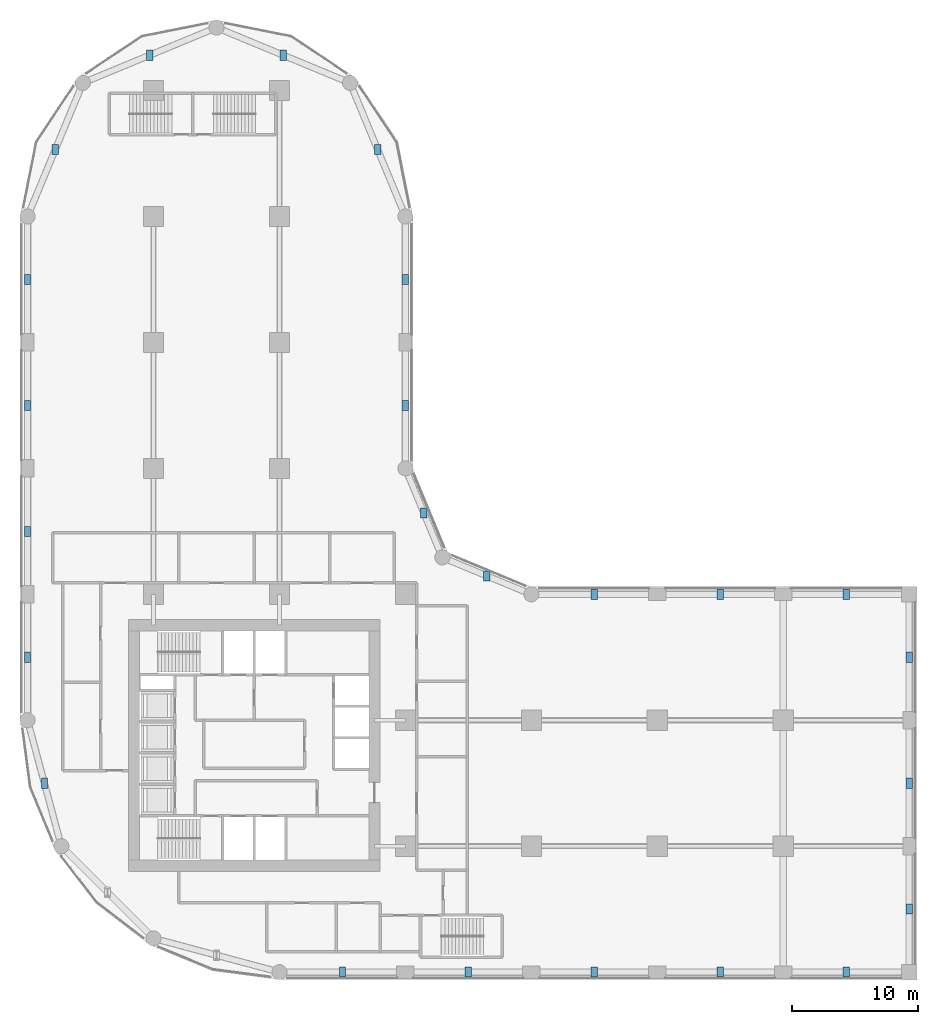
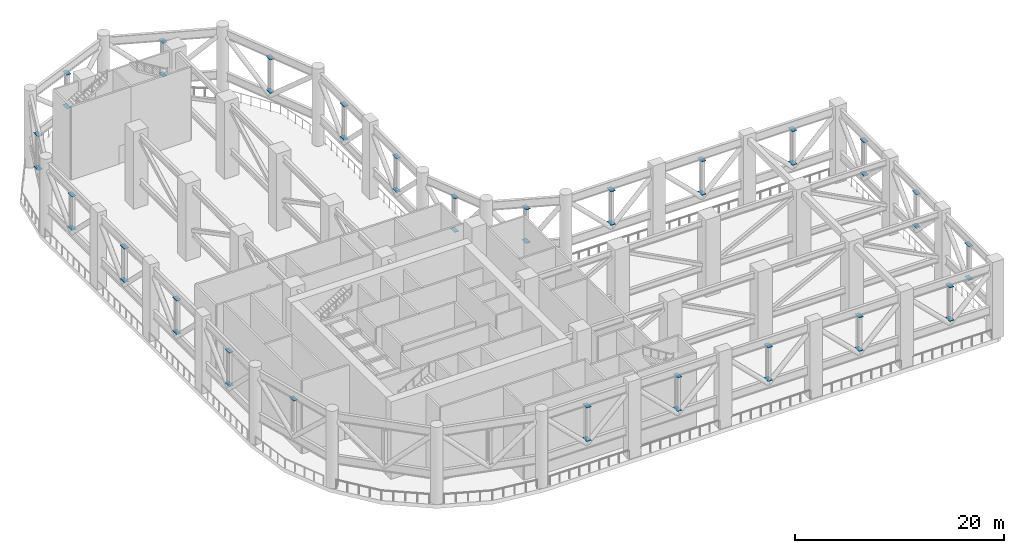
# One storey, part 11 of 14: 47 discrete accessories.
"""IFC4 building model written with IfcOpenShell, lengths in metres."""

from ifc_helpers import new_model, si_unit, direction, frame, origin, origin_2d, place, context, subcontext, project, spatial, rectangle, extrude, material, type_object, element, save


model = new_model("IFC4")

# Units and contexts
model_context = context("Model", 3, precision=1e-05, world=origin(), true_north=direction((0.0, 1.0)))
body_context = subcontext(model_context, "Body", "Model", "MODEL_VIEW")
ifc_project = project(units=[si_unit("LENGTHUNIT", "METRE"), si_unit("AREAUNIT", "SQUARE_METRE"), si_unit("VOLUMEUNIT", "CUBIC_METRE"), si_unit("PLANEANGLEUNIT", "RADIAN"), si_unit("MASSUNIT", "GRAM", prefix="KILO")], contexts=[model_context])

# Site, building, storey
site_placement = place(None, origin())
site = spatial("IfcSite", under=ifc_project, at=site_placement, CompositionType="ELEMENT")
building_placement = place(site_placement, origin())
building = spatial("IfcBuilding", under=site, at=building_placement, Name="Qaws Garden Tower", CompositionType="ELEMENT")
storey_placement = place(building_placement, frame((0.0, 0.0, 117.300048828125)))
storey = spatial("IfcBuildingStorey", under=building, at=storey_placement, Name="L29", CompositionType="ELEMENT", Elevation=117.300048828125)

# Discrete accessories
ifc_material = material(Name="Steel S355", Category="steel")
discrete_accessory_type = type_object("IfcDiscreteAccessoryType", Name="Belt post end plate 30", PredefinedType="USERDEFINED", material=ifc_material)
discrete_accessory_1_placement = place(storey_placement, frame((25.0, 0.0, 3.60791015625), z_axis=(0.0, 0.0, 1.0), x_axis=(1.0, 0.0, 0.0)))
element("IfcDiscreteAccessory", 1, at=discrete_accessory_1_placement, inside=storey, type_object=discrete_accessory_type, Name="Belt truss post 1 end plate bottom", ObjectType="End plate", PredefinedType="USERDEFINED", context=body_context, shape_type="SweptSolid", body=[
    extrude(rectangle(XDim=0.5, YDim=0.800048828125, at=origin_2d()), origin(), (0.0, 0.0, 1.0), 0.030029296875),
])
discrete_accessory_2_placement = place(storey_placement, frame((25.0, 0.0, 7.51171875), z_axis=(0.0, 0.0, 1.0), x_axis=(1.0, 0.0, 0.0)))
element("IfcDiscreteAccessory", 2, at=discrete_accessory_2_placement, inside=storey, type_object=discrete_accessory_type, Name="Belt truss post 1 end plate top", ObjectType="End plate", PredefinedType="USERDEFINED", context=body_context, shape_type="SweptSolid", body=[
    extrude(rectangle(XDim=0.5, YDim=0.800048828125, at=origin_2d()), origin(), (0.0, 0.0, 1.0), 0.030029296875),
])
discrete_accessory_3_placement = place(storey_placement, frame((35.0, 0.0, 3.60791015625), z_axis=(0.0, 0.0, 1.0), x_axis=(1.0, 0.0, 0.0)))
element("IfcDiscreteAccessory", 3, at=discrete_accessory_3_placement, inside=storey, type_object=discrete_accessory_type, Name="Belt truss post 2 end plate bottom", ObjectType="End plate", PredefinedType="USERDEFINED", context=body_context, shape_type="SweptSolid", body=[
    extrude(rectangle(XDim=0.5, YDim=0.800048828125, at=origin_2d()), origin(), (0.0, 0.0, 1.0), 0.030029296875),
])
discrete_accessory_4_placement = place(storey_placement, frame((35.0, 0.0, 7.51171875), z_axis=(0.0, 0.0, 1.0), x_axis=(1.0, 0.0, 0.0)))
element("IfcDiscreteAccessory", 4, at=discrete_accessory_4_placement, inside=storey, type_object=discrete_accessory_type, Name="Belt truss post 2 end plate top", ObjectType="End plate", PredefinedType="USERDEFINED", context=body_context, shape_type="SweptSolid", body=[
    extrude(rectangle(XDim=0.5, YDim=0.800048828125, at=origin_2d()), origin(), (0.0, 0.0, 1.0), 0.030029296875),
])
discrete_accessory_5_placement = place(storey_placement, frame((45.0, 0.0, 3.60791015625), z_axis=(0.0, 0.0, 1.0), x_axis=(1.0, 0.0, 0.0)))
element("IfcDiscreteAccessory", 5, at=discrete_accessory_5_placement, inside=storey, type_object=discrete_accessory_type, Name="Belt truss post 3 end plate bottom", ObjectType="End plate", PredefinedType="USERDEFINED", context=body_context, shape_type="SweptSolid", body=[
    extrude(rectangle(XDim=0.5, YDim=0.800048828125, at=origin_2d()), origin(), (0.0, 0.0, 1.0), 0.030029296875),
])
discrete_accessory_6_placement = place(storey_placement, frame((45.0, 0.0, 7.51171875), z_axis=(0.0, 0.0, 1.0), x_axis=(1.0, 0.0, 0.0)))
element("IfcDiscreteAccessory", 6, at=discrete_accessory_6_placement, inside=storey, type_object=discrete_accessory_type, Name="Belt truss post 3 end plate top", ObjectType="End plate", PredefinedType="USERDEFINED", context=body_context, shape_type="SweptSolid", body=[
    extrude(rectangle(XDim=0.5, YDim=0.800048828125, at=origin_2d()), origin(), (0.0, 0.0, 1.0), 0.030029296875),
])
discrete_accessory_7_placement = place(storey_placement, frame((55.0, 0.0, 3.60791015625), z_axis=(0.0, 0.0, 1.0), x_axis=(1.0, 0.0, 0.0)))
element("IfcDiscreteAccessory", 7, at=discrete_accessory_7_placement, inside=storey, type_object=discrete_accessory_type, Name="Belt truss post 4 end plate bottom", ObjectType="End plate", PredefinedType="USERDEFINED", context=body_context, shape_type="SweptSolid", body=[
    extrude(rectangle(XDim=0.5, YDim=0.800048828125, at=origin_2d()), origin(), (0.0, 0.0, 1.0), 0.030029296875),
])
discrete_accessory_8_placement = place(storey_placement, frame((55.0, 0.0, 7.51171875), z_axis=(0.0, 0.0, 1.0), x_axis=(1.0, 0.0, 0.0)))
element("IfcDiscreteAccessory", 8, at=discrete_accessory_8_placement, inside=storey, type_object=discrete_accessory_type, Name="Belt truss post 4 end plate top", ObjectType="End plate", PredefinedType="USERDEFINED", context=body_context, shape_type="SweptSolid", body=[
    extrude(rectangle(XDim=0.5, YDim=0.800048828125, at=origin_2d()), origin(), (0.0, 0.0, 1.0), 0.030029296875),
])
discrete_accessory_9_placement = place(storey_placement, frame((65.0, 0.0, 3.60791015625), z_axis=(0.0, 0.0, 1.0), x_axis=(1.0, 0.0, 0.0)))
element("IfcDiscreteAccessory", 9, at=discrete_accessory_9_placement, inside=storey, type_object=discrete_accessory_type, Name="Belt truss post 5 end plate bottom", ObjectType="End plate", PredefinedType="USERDEFINED", context=body_context, shape_type="SweptSolid", body=[
    extrude(rectangle(XDim=0.5, YDim=0.800048828125, at=origin_2d()), origin(), (0.0, 0.0, 1.0), 0.030029296875),
])
discrete_accessory_10_placement = place(storey_placement, frame((65.0, 0.0, 7.51171875), z_axis=(0.0, 0.0, 1.0), x_axis=(1.0, 0.0, 0.0)))
element("IfcDiscreteAccessory", 10, at=discrete_accessory_10_placement, inside=storey, type_object=discrete_accessory_type, Name="Belt truss post 5 end plate top", ObjectType="End plate", PredefinedType="USERDEFINED", context=body_context, shape_type="SweptSolid", body=[
    extrude(rectangle(XDim=0.5, YDim=0.800048828125, at=origin_2d()), origin(), (0.0, 0.0, 1.0), 0.030029296875),
])
discrete_accessory_11_placement = place(storey_placement, frame((70.0, 5.0, 3.60791015625), z_axis=(0.0, 0.0, 1.0), x_axis=(1.0, 0.0, 0.0)))
element("IfcDiscreteAccessory", 11, at=discrete_accessory_11_placement, inside=storey, type_object=discrete_accessory_type, Name="Belt truss post 6 end plate bottom", ObjectType="End plate", PredefinedType="USERDEFINED", context=body_context, shape_type="SweptSolid", body=[
    extrude(rectangle(XDim=0.5, YDim=0.800048828125, at=origin_2d()), origin(), (0.0, 0.0, 1.0), 0.030029296875),
])
discrete_accessory_12_placement = place(storey_placement, frame((70.0, 5.0, 7.51171875), z_axis=(0.0, 0.0, 1.0), x_axis=(1.0, 0.0, 0.0)))
element("IfcDiscreteAccessory", 12, at=discrete_accessory_12_placement, inside=storey, type_object=discrete_accessory_type, Name="Belt truss post 6 end plate top", ObjectType="End plate", PredefinedType="USERDEFINED", context=body_context, shape_type="SweptSolid", body=[
    extrude(rectangle(XDim=0.5, YDim=0.800048828125, at=origin_2d()), origin(), (0.0, 0.0, 1.0), 0.030029296875),
])
discrete_accessory_13_placement = place(storey_placement, frame((70.0, 15.0, 3.60791015625), z_axis=(0.0, 0.0, 1.0), x_axis=(1.0, 0.0, 0.0)))
element("IfcDiscreteAccessory", 13, at=discrete_accessory_13_placement, inside=storey, type_object=discrete_accessory_type, Name="Belt truss post 7 end plate bottom", ObjectType="End plate", PredefinedType="USERDEFINED", context=body_context, shape_type="SweptSolid", body=[
    extrude(rectangle(XDim=0.5, YDim=0.800048828125, at=origin_2d()), origin(), (0.0, 0.0, 1.0), 0.030029296875),
])
discrete_accessory_14_placement = place(storey_placement, frame((70.0, 15.0, 7.51171875), z_axis=(0.0, 0.0, 1.0), x_axis=(1.0, 0.0, 0.0)))
element("IfcDiscreteAccessory", 14, at=discrete_accessory_14_placement, inside=storey, type_object=discrete_accessory_type, Name="Belt truss post 7 end plate top", ObjectType="End plate", PredefinedType="USERDEFINED", context=body_context, shape_type="SweptSolid", body=[
    extrude(rectangle(XDim=0.5, YDim=0.800048828125, at=origin_2d()), origin(), (0.0, 0.0, 1.0), 0.030029296875),
])
discrete_accessory_15_placement = place(storey_placement, frame((70.0, 25.0, 3.60791015625), z_axis=(0.0, 0.0, 1.0), x_axis=(1.0, 0.0, 0.0)))
element("IfcDiscreteAccessory", 15, at=discrete_accessory_15_placement, inside=storey, type_object=discrete_accessory_type, Name="Belt truss post 8 end plate bottom", ObjectType="End plate", PredefinedType="USERDEFINED", context=body_context, shape_type="SweptSolid", body=[
    extrude(rectangle(XDim=0.5, YDim=0.800048828125, at=origin_2d()), origin(), (0.0, 0.0, 1.0), 0.030029296875),
])
discrete_accessory_16_placement = place(storey_placement, frame((70.0, 25.0, 7.51171875), z_axis=(0.0, 0.0, 1.0), x_axis=(1.0, 0.0, 0.0)))
element("IfcDiscreteAccessory", 16, at=discrete_accessory_16_placement, inside=storey, type_object=discrete_accessory_type, Name="Belt truss post 8 end plate top", ObjectType="End plate", PredefinedType="USERDEFINED", context=body_context, shape_type="SweptSolid", body=[
    extrude(rectangle(XDim=0.5, YDim=0.800048828125, at=origin_2d()), origin(), (0.0, 0.0, 1.0), 0.030029296875),
])
discrete_accessory_17_placement = place(storey_placement, frame((65.0, 30.0, 3.60791015625), z_axis=(0.0, 0.0, 1.0), x_axis=(1.0, 0.0, 0.0)))
element("IfcDiscreteAccessory", 17, at=discrete_accessory_17_placement, inside=storey, type_object=discrete_accessory_type, Name="Belt truss post 9 end plate bottom", ObjectType="End plate", PredefinedType="USERDEFINED", context=body_context, shape_type="SweptSolid", body=[
    extrude(rectangle(XDim=0.5, YDim=0.800048828125, at=origin_2d()), origin(), (0.0, 0.0, 1.0), 0.030029296875),
])
discrete_accessory_18_placement = place(storey_placement, frame((65.0, 30.0, 7.51171875), z_axis=(0.0, 0.0, 1.0), x_axis=(1.0, 0.0, 0.0)))
element("IfcDiscreteAccessory", 18, at=discrete_accessory_18_placement, inside=storey, type_object=discrete_accessory_type, Name="Belt truss post 9 end plate top", ObjectType="End plate", PredefinedType="USERDEFINED", context=body_context, shape_type="SweptSolid", body=[
    extrude(rectangle(XDim=0.5, YDim=0.800048828125, at=origin_2d()), origin(), (0.0, 0.0, 1.0), 0.030029296875),
])
discrete_accessory_19_placement = place(storey_placement, frame((55.0, 30.0, 3.60791015625), z_axis=(0.0, 0.0, 1.0), x_axis=(1.0, 0.0, 0.0)))
element("IfcDiscreteAccessory", 19, at=discrete_accessory_19_placement, inside=storey, type_object=discrete_accessory_type, Name="Belt truss post 10 end plate bottom", ObjectType="End plate", PredefinedType="USERDEFINED", context=body_context, shape_type="SweptSolid", body=[
    extrude(rectangle(XDim=0.5, YDim=0.800048828125, at=origin_2d()), origin(), (0.0, 0.0, 1.0), 0.030029296875),
])
discrete_accessory_20_placement = place(storey_placement, frame((55.0, 30.0, 7.51171875), z_axis=(0.0, 0.0, 1.0), x_axis=(1.0, 0.0, 0.0)))
element("IfcDiscreteAccessory", 20, at=discrete_accessory_20_placement, inside=storey, type_object=discrete_accessory_type, Name="Belt truss post 10 end plate top", ObjectType="End plate", PredefinedType="USERDEFINED", context=body_context, shape_type="SweptSolid", body=[
    extrude(rectangle(XDim=0.5, YDim=0.800048828125, at=origin_2d()), origin(), (0.0, 0.0, 1.0), 0.030029296875),
])
discrete_accessory_21_placement = place(storey_placement, frame((45.0, 30.0, 3.60791015625), z_axis=(0.0, 0.0, 1.0), x_axis=(1.0, 0.0, 0.0)))
element("IfcDiscreteAccessory", 21, at=discrete_accessory_21_placement, inside=storey, type_object=discrete_accessory_type, Name="Belt truss post 11 end plate bottom", ObjectType="End plate", PredefinedType="USERDEFINED", context=body_context, shape_type="SweptSolid", body=[
    extrude(rectangle(XDim=0.5, YDim=0.800048828125, at=origin_2d()), origin(), (0.0, 0.0, 1.0), 0.030029296875),
])
discrete_accessory_22_placement = place(storey_placement, frame((45.0, 30.0, 7.51171875), z_axis=(0.0, 0.0, 1.0), x_axis=(1.0, 0.0, 0.0)))
element("IfcDiscreteAccessory", 22, at=discrete_accessory_22_placement, inside=storey, type_object=discrete_accessory_type, Name="Belt truss post 11 end plate top", ObjectType="End plate", PredefinedType="USERDEFINED", context=body_context, shape_type="SweptSolid", body=[
    extrude(rectangle(XDim=0.5, YDim=0.800048828125, at=origin_2d()), origin(), (0.0, 0.0, 1.0), 0.030029296875),
])
discrete_accessory_23_placement = place(storey_placement, frame((36.46435546875, 31.46435546875, 3.60791015625), z_axis=(0.0, 0.0, 1.0), x_axis=(1.0, 0.0, 0.0)))
element("IfcDiscreteAccessory", 23, at=discrete_accessory_23_placement, inside=storey, type_object=discrete_accessory_type, Name="Belt truss post 12 end plate bottom", ObjectType="End plate", PredefinedType="USERDEFINED", context=body_context, shape_type="SweptSolid", body=[
    extrude(rectangle(XDim=0.5, YDim=0.800048828125, at=origin_2d()), origin(), (0.0, 0.0, 1.0), 0.030029296875),
])
discrete_accessory_24_placement = place(storey_placement, frame((36.46435546875, 31.46435546875, 7.51171875), z_axis=(0.0, 0.0, 1.0), x_axis=(1.0, 0.0, 0.0)))
element("IfcDiscreteAccessory", 24, at=discrete_accessory_24_placement, inside=storey, type_object=discrete_accessory_type, Name="Belt truss post 12 end plate top", ObjectType="End plate", PredefinedType="USERDEFINED", context=body_context, shape_type="SweptSolid", body=[
    extrude(rectangle(XDim=0.5, YDim=0.800048828125, at=origin_2d()), origin(), (0.0, 0.0, 1.0), 0.030029296875),
])
discrete_accessory_25_placement = place(storey_placement, frame((31.46435546875, 36.46435546875, 3.60791015625), z_axis=(0.0, 0.0, 1.0), x_axis=(1.0, 0.0, 0.0)))
element("IfcDiscreteAccessory", 25, at=discrete_accessory_25_placement, inside=storey, type_object=discrete_accessory_type, Name="Belt truss post 13 end plate bottom", ObjectType="End plate", PredefinedType="USERDEFINED", context=body_context, shape_type="SweptSolid", body=[
    extrude(rectangle(XDim=0.5, YDim=0.800048828125, at=origin_2d()), origin(), (0.0, 0.0, 1.0), 0.030029296875),
])
discrete_accessory_26_placement = place(storey_placement, frame((31.46435546875, 36.46435546875, 7.51171875), z_axis=(0.0, 0.0, 1.0), x_axis=(1.0, 0.0, 0.0)))
element("IfcDiscreteAccessory", 26, at=discrete_accessory_26_placement, inside=storey, type_object=discrete_accessory_type, Name="Belt truss post 13 end plate top", ObjectType="End plate", PredefinedType="USERDEFINED", context=body_context, shape_type="SweptSolid", body=[
    extrude(rectangle(XDim=0.5, YDim=0.800048828125, at=origin_2d()), origin(), (0.0, 0.0, 1.0), 0.030029296875),
])
discrete_accessory_27_placement = place(storey_placement, frame((30.0, 45.0, 3.60791015625), z_axis=(0.0, 0.0, 1.0), x_axis=(1.0, 0.0, 0.0)))
element("IfcDiscreteAccessory", 27, at=discrete_accessory_27_placement, inside=storey, type_object=discrete_accessory_type, Name="Belt truss post 14 end plate bottom", ObjectType="End plate", PredefinedType="USERDEFINED", context=body_context, shape_type="SweptSolid", body=[
    extrude(rectangle(XDim=0.5, YDim=0.800048828125, at=origin_2d()), origin(), (0.0, 0.0, 1.0), 0.030029296875),
])
discrete_accessory_28_placement = place(storey_placement, frame((30.0, 45.0, 7.51171875), z_axis=(0.0, 0.0, 1.0), x_axis=(1.0, 0.0, 0.0)))
element("IfcDiscreteAccessory", 28, at=discrete_accessory_28_placement, inside=storey, type_object=discrete_accessory_type, Name="Belt truss post 14 end plate top", ObjectType="End plate", PredefinedType="USERDEFINED", context=body_context, shape_type="SweptSolid", body=[
    extrude(rectangle(XDim=0.5, YDim=0.800048828125, at=origin_2d()), origin(), (0.0, 0.0, 1.0), 0.030029296875),
])
discrete_accessory_29_placement = place(storey_placement, frame((30.0, 55.0, 3.60791015625), z_axis=(0.0, 0.0, 1.0), x_axis=(1.0, 0.0, 0.0)))
element("IfcDiscreteAccessory", 29, at=discrete_accessory_29_placement, inside=storey, type_object=discrete_accessory_type, Name="Belt truss post 15 end plate bottom", ObjectType="End plate", PredefinedType="USERDEFINED", context=body_context, shape_type="SweptSolid", body=[
    extrude(rectangle(XDim=0.5, YDim=0.800048828125, at=origin_2d()), origin(), (0.0, 0.0, 1.0), 0.030029296875),
])
discrete_accessory_30_placement = place(storey_placement, frame((30.0, 55.0, 7.51171875), z_axis=(0.0, 0.0, 1.0), x_axis=(1.0, 0.0, 0.0)))
element("IfcDiscreteAccessory", 30, at=discrete_accessory_30_placement, inside=storey, type_object=discrete_accessory_type, Name="Belt truss post 15 end plate top", ObjectType="End plate", PredefinedType="USERDEFINED", context=body_context, shape_type="SweptSolid", body=[
    extrude(rectangle(XDim=0.5, YDim=0.800048828125, at=origin_2d()), origin(), (0.0, 0.0, 1.0), 0.030029296875),
])
discrete_accessory_31_placement = place(storey_placement, frame((27.80322265625, 65.30322265625, 3.60791015625), z_axis=(0.0, 0.0, 1.0), x_axis=(1.0, 0.0, 0.0)))
element("IfcDiscreteAccessory", 31, at=discrete_accessory_31_placement, inside=storey, type_object=discrete_accessory_type, Name="Belt truss post 16 end plate bottom", ObjectType="End plate", PredefinedType="USERDEFINED", context=body_context, shape_type="SweptSolid", body=[
    extrude(rectangle(XDim=0.5, YDim=0.800048828125, at=origin_2d()), origin(), (0.0, 0.0, 1.0), 0.030029296875),
])
discrete_accessory_32_placement = place(storey_placement, frame((27.80322265625, 65.30322265625, 7.51171875), z_axis=(0.0, 0.0, 1.0), x_axis=(1.0, 0.0, 0.0)))
element("IfcDiscreteAccessory", 32, at=discrete_accessory_32_placement, inside=storey, type_object=discrete_accessory_type, Name="Belt truss post 16 end plate top", ObjectType="End plate", PredefinedType="USERDEFINED", context=body_context, shape_type="SweptSolid", body=[
    extrude(rectangle(XDim=0.5, YDim=0.800048828125, at=origin_2d()), origin(), (0.0, 0.0, 1.0), 0.030029296875),
])
discrete_accessory_33_placement = place(storey_placement, frame((20.30322265625, 72.80322265625, 3.60791015625), z_axis=(0.0, 0.0, 1.0), x_axis=(1.0, 0.0, 0.0)))
element("IfcDiscreteAccessory", 33, at=discrete_accessory_33_placement, inside=storey, type_object=discrete_accessory_type, Name="Belt truss post 17 end plate bottom", ObjectType="End plate", PredefinedType="USERDEFINED", context=body_context, shape_type="SweptSolid", body=[
    extrude(rectangle(XDim=0.5, YDim=0.800048828125, at=origin_2d()), origin(), (0.0, 0.0, 1.0), 0.030029296875),
])
discrete_accessory_34_placement = place(storey_placement, frame((20.30322265625, 72.80322265625, 7.51171875), z_axis=(0.0, 0.0, 1.0), x_axis=(1.0, 0.0, 0.0)))
element("IfcDiscreteAccessory", 34, at=discrete_accessory_34_placement, inside=storey, type_object=discrete_accessory_type, Name="Belt truss post 17 end plate top", ObjectType="End plate", PredefinedType="USERDEFINED", context=body_context, shape_type="SweptSolid", body=[
    extrude(rectangle(XDim=0.5, YDim=0.800048828125, at=origin_2d()), origin(), (0.0, 0.0, 1.0), 0.030029296875),
])
discrete_accessory_35_placement = place(storey_placement, frame((9.69677734375, 72.80322265625, 3.60791015625), z_axis=(0.0, 0.0, 1.0), x_axis=(1.0, 0.0, 0.0)))
element("IfcDiscreteAccessory", 35, at=discrete_accessory_35_placement, inside=storey, type_object=discrete_accessory_type, Name="Belt truss post 18 end plate bottom", ObjectType="End plate", PredefinedType="USERDEFINED", context=body_context, shape_type="SweptSolid", body=[
    extrude(rectangle(XDim=0.5, YDim=0.800048828125, at=origin_2d()), origin(), (0.0, 0.0, 1.0), 0.030029296875),
])
discrete_accessory_36_placement = place(storey_placement, frame((9.69677734375, 72.80322265625, 7.51171875), z_axis=(0.0, 0.0, 1.0), x_axis=(1.0, 0.0, 0.0)))
element("IfcDiscreteAccessory", 36, at=discrete_accessory_36_placement, inside=storey, type_object=discrete_accessory_type, Name="Belt truss post 18 end plate top", ObjectType="End plate", PredefinedType="USERDEFINED", context=body_context, shape_type="SweptSolid", body=[
    extrude(rectangle(XDim=0.5, YDim=0.800048828125, at=origin_2d()), origin(), (0.0, 0.0, 1.0), 0.030029296875),
])
discrete_accessory_37_placement = place(storey_placement, frame((2.19677734375, 65.30322265625, 3.60791015625), z_axis=(0.0, 0.0, 1.0), x_axis=(1.0, 0.0, 0.0)))
element("IfcDiscreteAccessory", 37, at=discrete_accessory_37_placement, inside=storey, type_object=discrete_accessory_type, Name="Belt truss post 19 end plate bottom", ObjectType="End plate", PredefinedType="USERDEFINED", context=body_context, shape_type="SweptSolid", body=[
    extrude(rectangle(XDim=0.5, YDim=0.800048828125, at=origin_2d()), origin(), (0.0, 0.0, 1.0), 0.030029296875),
])
discrete_accessory_38_placement = place(storey_placement, frame((2.19677734375, 65.30322265625, 7.51171875), z_axis=(0.0, 0.0, 1.0), x_axis=(1.0, 0.0, 0.0)))
element("IfcDiscreteAccessory", 38, at=discrete_accessory_38_placement, inside=storey, type_object=discrete_accessory_type, Name="Belt truss post 19 end plate top", ObjectType="End plate", PredefinedType="USERDEFINED", context=body_context, shape_type="SweptSolid", body=[
    extrude(rectangle(XDim=0.5, YDim=0.800048828125, at=origin_2d()), origin(), (0.0, 0.0, 1.0), 0.030029296875),
])
discrete_accessory_39_placement = place(storey_placement, frame((0.0, 55.0, 3.60791015625), z_axis=(0.0, 0.0, 1.0), x_axis=(1.0, 0.0, 0.0)))
element("IfcDiscreteAccessory", 39, at=discrete_accessory_39_placement, inside=storey, type_object=discrete_accessory_type, Name="Belt truss post 20 end plate bottom", ObjectType="End plate", PredefinedType="USERDEFINED", context=body_context, shape_type="SweptSolid", body=[
    extrude(rectangle(XDim=0.5, YDim=0.800048828125, at=origin_2d()), origin(), (0.0, 0.0, 1.0), 0.030029296875),
])
discrete_accessory_40_placement = place(storey_placement, frame((0.0, 55.0, 7.51171875), z_axis=(0.0, 0.0, 1.0), x_axis=(1.0, 0.0, 0.0)))
element("IfcDiscreteAccessory", 40, at=discrete_accessory_40_placement, inside=storey, type_object=discrete_accessory_type, Name="Belt truss post 20 end plate top", ObjectType="End plate", PredefinedType="USERDEFINED", context=body_context, shape_type="SweptSolid", body=[
    extrude(rectangle(XDim=0.5, YDim=0.800048828125, at=origin_2d()), origin(), (0.0, 0.0, 1.0), 0.030029296875),
])
discrete_accessory_41_placement = place(storey_placement, frame((0.0, 45.0, 3.60791015625), z_axis=(0.0, 0.0, 1.0), x_axis=(1.0, 0.0, 0.0)))
element("IfcDiscreteAccessory", 41, at=discrete_accessory_41_placement, inside=storey, type_object=discrete_accessory_type, Name="Belt truss post 21 end plate bottom", ObjectType="End plate", PredefinedType="USERDEFINED", context=body_context, shape_type="SweptSolid", body=[
    extrude(rectangle(XDim=0.5, YDim=0.800048828125, at=origin_2d()), origin(), (0.0, 0.0, 1.0), 0.030029296875),
])
discrete_accessory_42_placement = place(storey_placement, frame((0.0, 45.0, 7.51171875), z_axis=(0.0, 0.0, 1.0), x_axis=(1.0, 0.0, 0.0)))
element("IfcDiscreteAccessory", 42, at=discrete_accessory_42_placement, inside=storey, type_object=discrete_accessory_type, Name="Belt truss post 21 end plate top", ObjectType="End plate", PredefinedType="USERDEFINED", context=body_context, shape_type="SweptSolid", body=[
    extrude(rectangle(XDim=0.5, YDim=0.800048828125, at=origin_2d()), origin(), (0.0, 0.0, 1.0), 0.030029296875),
])
discrete_accessory_43_placement = place(storey_placement, frame((0.0, 35.0, 3.60791015625), z_axis=(0.0, 0.0, 1.0), x_axis=(1.0, 0.0, 0.0)))
element("IfcDiscreteAccessory", 43, at=discrete_accessory_43_placement, inside=storey, type_object=discrete_accessory_type, Name="Belt truss post 22 end plate bottom", ObjectType="End plate", PredefinedType="USERDEFINED", context=body_context, shape_type="SweptSolid", body=[
    extrude(rectangle(XDim=0.5, YDim=0.800048828125, at=origin_2d()), origin(), (0.0, 0.0, 1.0), 0.030029296875),
])
discrete_accessory_44_placement = place(storey_placement, frame((0.0, 35.0, 7.51171875), z_axis=(0.0, 0.0, 1.0), x_axis=(1.0, 0.0, 0.0)))
element("IfcDiscreteAccessory", 44, at=discrete_accessory_44_placement, inside=storey, type_object=discrete_accessory_type, Name="Belt truss post 22 end plate top", ObjectType="End plate", PredefinedType="USERDEFINED", context=body_context, shape_type="SweptSolid", body=[
    extrude(rectangle(XDim=0.5, YDim=0.800048828125, at=origin_2d()), origin(), (0.0, 0.0, 1.0), 0.030029296875),
])
discrete_accessory_45_placement = place(storey_placement, frame((0.0, 25.0, 3.60791015625), z_axis=(0.0, 0.0, 1.0), x_axis=(1.0, 0.0, 0.0)))
element("IfcDiscreteAccessory", 45, at=discrete_accessory_45_placement, inside=storey, type_object=discrete_accessory_type, Name="Belt truss post 23 end plate bottom", ObjectType="End plate", PredefinedType="USERDEFINED", context=body_context, shape_type="SweptSolid", body=[
    extrude(rectangle(XDim=0.5, YDim=0.800048828125, at=origin_2d()), origin(), (0.0, 0.0, 1.0), 0.030029296875),
])
for number, where, z_axis, x_axis, name in (
    (46, (0.0, 25.0, 7.51171875), (0.0, 0.0, 1.0), (1.0, 0.0, 0.0), "Belt truss post 23 end plate top"),
    (47, (1.339599609375, 15.0, 7.51171875), (0.0, 0.0, 1.0), (1.0, 0.0, 0.0), "Belt truss post 24 end plate top"),
):
    element("IfcDiscreteAccessory", number, at=place(storey_placement, frame(where, z_axis=z_axis, x_axis=x_axis)), inside=storey, type_object=discrete_accessory_type, Name=name, ObjectType="End plate", PredefinedType="USERDEFINED", context=body_context, shape_type="SweptSolid", body=[
        extrude(rectangle(XDim=0.5, YDim=0.800048828125, at=origin_2d()), origin(), (0.0, 0.0, 1.0), 0.030029296875),
    ])

save(model, "model.ifc")
